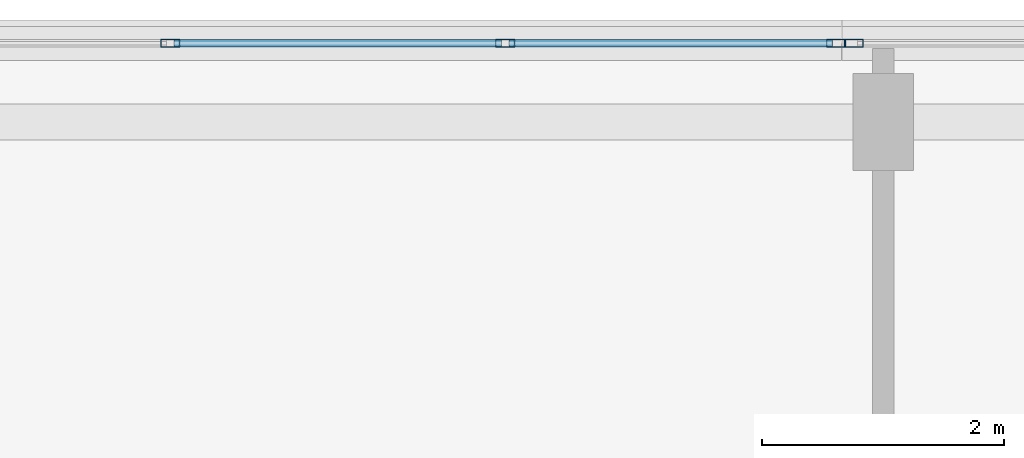
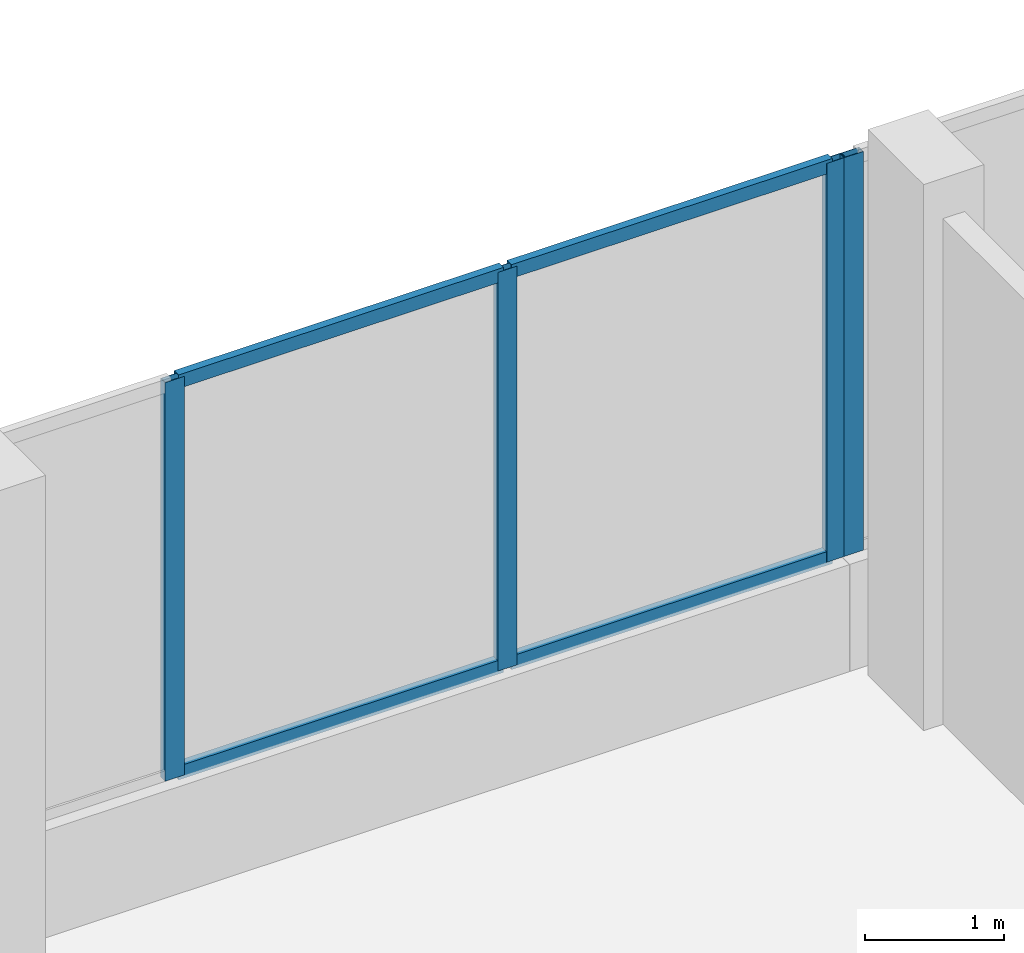
# One storey, part 118 of 168: 8 members, 2 elements without a shape of their own.
"""IFC4 building model written with IfcOpenShell, lengths in metres."""

from ifc_helpers import new_model, si_unit, direction, frame, origin, origin_2d, place, context, subcontext, project, spatial, hollow_rectangle, extrude, material, material_profile, profile_set, type_object, element, aggregate, save


model = new_model("IFC4")

# Units and contexts
model_context = context("Model", 3, precision=1e-05, world=origin(), true_north=direction((0.0, 1.0)))
body_context = subcontext(model_context, "Body", "Model", "MODEL_VIEW")
ifc_project = project(units=[si_unit("LENGTHUNIT", "METRE"), si_unit("AREAUNIT", "SQUARE_METRE"), si_unit("VOLUMEUNIT", "CUBIC_METRE"), si_unit("PLANEANGLEUNIT", "RADIAN"), si_unit("MASSUNIT", "GRAM", prefix="KILO")], contexts=[model_context])

# Site, building, storey
site_placement = place(None, origin())
site = spatial("IfcSite", under=ifc_project, at=site_placement, CompositionType="ELEMENT")
building_placement = place(site_placement, origin())
building = spatial("IfcBuilding", under=site, at=building_placement, Name="Selatvlak General Hospital", CompositionType="ELEMENT")
storey_placement = place(building_placement, frame((0.0, 0.0, 5.39990234375)))
storey = spatial("IfcBuildingStorey", under=building, at=storey_placement, Name="L01", CompositionType="ELEMENT", Elevation=5.39990234375)

# Curtain wall, members
ifc_material_1 = material(Name="Solar-control Low-E double glazing", Category="glass")
curtain_wall_type_1 = type_object("IfcCurtainWallType", Name="CW-CW-01", PredefinedType="USERDEFINED", material=ifc_material_1)
curtain_wall_1_placement = place(storey_placement, origin())
curtain_wall_1 = element("IfcCurtainWall", 1, at=curtain_wall_1_placement, inside=storey, type_object=curtain_wall_type_1, Name="Glazed facade curtain wall CW-L01-0128", ObjectType="UNITISED CURTAIN WALL", PredefinedType="USERDEFINED")
ifc_material_2 = material(Name="Dark anodised aluminium mullion", Category="aluminium")
ifc_material_profile_1 = material_profile(ifc_material_2, hollow_rectangle(XDim=0.06494140625, YDim=0.159912109375, WallThickness=0.00390625, at=origin_2d()), Name="AL-MUL 65x160x4")
ifc_profile_set_1 = profile_set([ifc_material_profile_1], Name="Dark anodised aluminium mullion")
member_type_1 = type_object("IfcMemberType", Name="CWM-01", PredefinedType="MULLION", material=ifc_profile_set_1)
member_1_placement = place(storey_placement, frame((151.310546875, 120.0, 0.940185546875), z_axis=(0.0, 0.0, 1.0), x_axis=(0.0, 1.0, 0.0)))
member_1 = element("IfcMember", 2, at=member_1_placement, type_object=member_type_1, Name="CW-01 mullion 2", PredefinedType="MULLION", context=body_context, shape_type="SweptSolid", body=[
    extrude(hollow_rectangle(XDim=0.06494140625, YDim=0.159912109375, WallThickness=0.00390625, at=origin_2d()), origin(), (0.0, 0.0, 1.0), 3.5048828125),
])
member_2_placement = place(storey_placement, frame((154.077392578125, 120.0, 0.940185546875), z_axis=(0.0, 0.0, 1.0), x_axis=(0.0, 1.0, 0.0)))
member_2 = element("IfcMember", 3, at=member_2_placement, type_object=member_type_1, Name="CW-01 mullion 3", PredefinedType="MULLION", context=body_context, shape_type="SweptSolid", body=[
    extrude(hollow_rectangle(XDim=0.06494140625, YDim=0.159912109375, WallThickness=0.00390625, at=origin_2d()), origin(), (0.0, 0.0, 1.0), 3.5048828125),
])
member_3_placement = place(storey_placement, frame((156.8115234375, 120.0, 0.940185546875), z_axis=(0.0, 0.0, 1.0), x_axis=(0.0, 1.0, 0.0)))
member_3 = element("IfcMember", 4, at=member_3_placement, type_object=member_type_1, Name="CW-01 mullion 4", PredefinedType="MULLION", context=body_context, shape_type="SweptSolid", body=[
    extrude(hollow_rectangle(XDim=0.06494140625, YDim=0.159912109375, WallThickness=0.00390625, at=origin_2d()), origin(), (0.0, 0.0, 1.0), 3.5048828125),
])

# Curtain wall, member
curtain_wall_type_2 = type_object("IfcCurtainWallType", Name="CW-CW-02", PredefinedType="USERDEFINED", material=ifc_material_1)
curtain_wall_2_placement = place(storey_placement, origin())
curtain_wall_2 = element("IfcCurtainWall", 5, at=curtain_wall_2_placement, inside=storey, type_object=curtain_wall_type_2, Name="Glazed facade curtain wall CW-L01-0129", ObjectType="UNITISED CURTAIN WALL", PredefinedType="USERDEFINED")
member_4_placement = place(storey_placement, frame((156.95654296875, 120.0, 0.940185546875), z_axis=(0.0, 0.0, 1.0), x_axis=(0.0, 1.0, 0.0)))
member_4 = element("IfcMember", 6, at=member_4_placement, type_object=member_type_1, Name="CW-02 mullion 1", PredefinedType="MULLION", context=body_context, shape_type="SweptSolid", body=[
    extrude(hollow_rectangle(XDim=0.06494140625, YDim=0.159912109375, WallThickness=0.00390625, at=origin_2d()), origin(), (0.0, 0.0, 1.0), 3.5048828125),
])
aggregate(curtain_wall_2, [member_4])

# Member
ifc_material_profile_2 = material_profile(ifc_material_2, hollow_rectangle(XDim=0.06494140625, YDim=0.1201171875, WallThickness=0.00390625, at=origin_2d()), Name="AL-TRN 65x120x4")
ifc_profile_set_2 = profile_set([ifc_material_profile_2], Name="Dark anodised aluminium mullion")
member_type_2 = type_object("IfcMemberType", Name="CWT-01", PredefinedType="USERDEFINED", material=ifc_profile_set_2)
member_5_placement = place(storey_placement, frame((151.34326171875, 120.0, 0.97265625), z_axis=(1.0, 0.0, 0.0), x_axis=(0.0, 1.0, 0.0)))
member_5 = element("IfcMember", 7, at=member_5_placement, type_object=member_type_2, Name="CW-01 transom 2.1", ObjectType="TRANSOM", PredefinedType="USERDEFINED", context=body_context, shape_type="SweptSolid", body=[
    extrude(hollow_rectangle(XDim=0.06494140625, YDim=0.1201171875, WallThickness=0.00390625, at=origin_2d()), origin(), (0.0, 0.0, 1.0), 2.70166015625),
])

member_6_placement = place(storey_placement, frame((151.34326171875, 120.0, 4.41259765625), z_axis=(1.0, 0.0, 0.0), x_axis=(0.0, 1.0, 0.0)))
member_6 = element("IfcMember", 8, at=member_6_placement, type_object=member_type_2, Name="CW-01 transom 2.2", ObjectType="TRANSOM", PredefinedType="USERDEFINED", context=body_context, shape_type="SweptSolid", body=[
    extrude(hollow_rectangle(XDim=0.06494140625, YDim=0.1201171875, WallThickness=0.00390625, at=origin_2d()), origin(), (0.0, 0.0, 1.0), 2.70166015625),
])

member_7_placement = place(storey_placement, frame((154.10986328125, 120.0, 0.97265625), z_axis=(1.0, 0.0, 0.0), x_axis=(0.0, 1.0, 0.0)))
member_7 = element("IfcMember", 9, at=member_7_placement, type_object=member_type_2, Name="CW-01 transom 3.1", ObjectType="TRANSOM", PredefinedType="USERDEFINED", context=body_context, shape_type="SweptSolid", body=[
    extrude(hollow_rectangle(XDim=0.06494140625, YDim=0.1201171875, WallThickness=0.00390625, at=origin_2d()), origin(), (0.0, 0.0, 1.0), 2.669189453125),
])

member_8_placement = place(storey_placement, frame((154.10986328125, 120.0, 4.41259765625), z_axis=(1.0, 0.0, 0.0), x_axis=(0.0, 1.0, 0.0)))
member_8 = element("IfcMember", 10, at=member_8_placement, type_object=member_type_2, Name="CW-01 transom 3.2", ObjectType="TRANSOM", PredefinedType="USERDEFINED", context=body_context, shape_type="SweptSolid", body=[
    extrude(hollow_rectangle(XDim=0.06494140625, YDim=0.1201171875, WallThickness=0.00390625, at=origin_2d()), origin(), (0.0, 0.0, 1.0), 2.669189453125),
])

aggregate(curtain_wall_1, [member_1, member_2, member_3, member_5, member_6, member_7, member_8])

save(model, "model.ifc")
